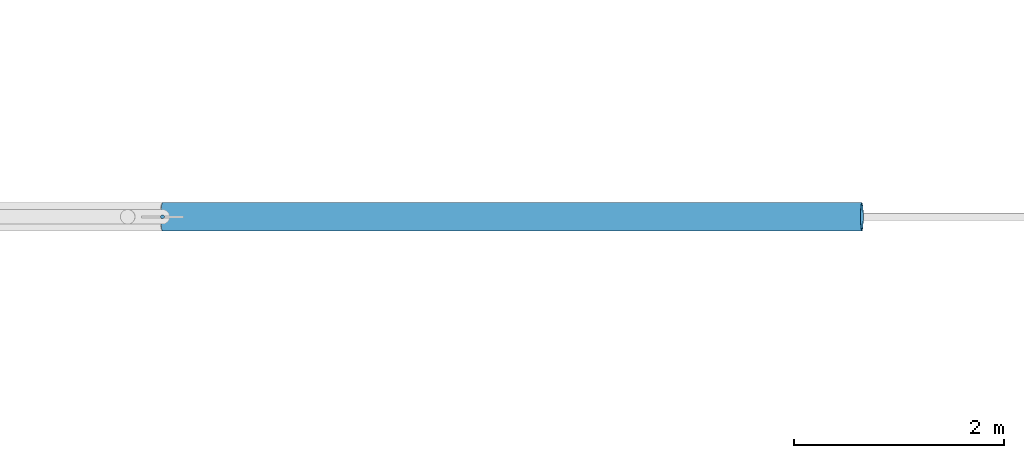
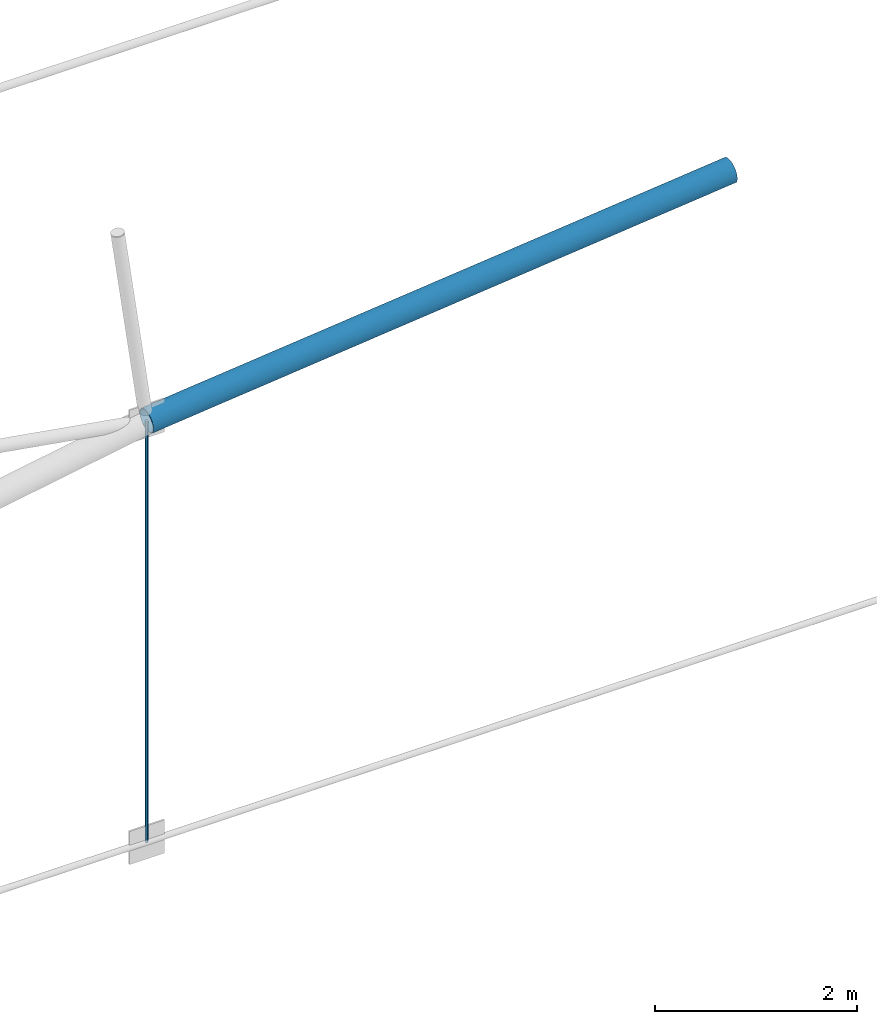
# One storey, part 20 of 321: 2 members.
"""IFC4 building model written with IfcOpenShell, lengths in metres."""

from ifc_helpers import new_model, si_unit, direction, frame, origin, origin_2d, place, context, subcontext, project, spatial, circle, hollow_circle, extrude, material, material_profile, profile_set, type_object, element, save


model = new_model("IFC4")

# Units and contexts
model_context = context("Model", 3, precision=1e-05, world=origin(), true_north=direction((0.0, 1.0)))
body_context = subcontext(model_context, "Body", "Model", "MODEL_VIEW")
ifc_project = project(units=[si_unit("LENGTHUNIT", "METRE"), si_unit("AREAUNIT", "SQUARE_METRE"), si_unit("VOLUMEUNIT", "CUBIC_METRE"), si_unit("PLANEANGLEUNIT", "RADIAN"), si_unit("MASSUNIT", "GRAM", prefix="KILO")], contexts=[model_context])

# Site, building, storey
site_placement = place(None, origin())
site = spatial("IfcSite", under=ifc_project, at=site_placement, CompositionType="ELEMENT")
building_placement = place(site_placement, origin())
building = spatial("IfcBuilding", under=site, at=building_placement, Name="Ravi Spectrum Wholesale Market", CompositionType="ELEMENT")
storey_placement = place(building_placement, frame((0.0, 0.0, 10.800048828125)))
storey = spatial("IfcBuildingStorey", under=building, at=storey_placement, Name="L02", CompositionType="ELEMENT", Elevation=10.800048828125)

# Members
ifc_material_1 = material(Name="Steel S355", Category="steel")
ifc_material_profile_1 = material_profile(ifc_material_1, hollow_circle(Radius=0.136474609375, WallThickness=0.010009765625, at=origin_2d()))
ifc_profile_set_1 = profile_set([ifc_material_profile_1], Name="Steel S355")
member_type_1 = type_object("IfcMemberType", Name="CHS 273x10 chord", PredefinedType="CHORD", material=ifc_profile_set_1)
member_1_placement = place(storey_placement, frame((56.648193359375, 42.0, 5.1025390625), z_axis=(0.994646786479, 0.0, 0.103333296414), x_axis=(0.0, 1.0, 0.0)))
element("IfcMember", 1, at=member_1_placement, inside=storey, type_object=member_type_1, Name="H1-MB-L02-128", PredefinedType="CHORD", context=body_context, shape_type="SweptSolid", body=[
    extrude(hollow_circle(Radius=0.136474609375, WallThickness=0.010009765625, at=origin_2d()), origin(), (0.0, 0.0, 1.0), 6.69580078125),
])
ifc_material_2 = material(Name="Steel S355", Category="steel")
ifc_material_profile_2 = material_profile(ifc_material_2, circle(Radius=0.01806640625, at=origin_2d()))
ifc_profile_set_2 = profile_set([ifc_material_profile_2], Name="Steel S355")
member_type_2 = type_object("IfcMemberType", Name="ROD 36 hanger", PredefinedType="STRUT", material=ifc_profile_set_2)
member_2_placement = place(storey_placement, frame((56.648193359375, 42.0, 0.023193359375), z_axis=(0.0, 0.0, 1.0), x_axis=(1.0, 0.0, 0.0)))
element("IfcMember", 2, at=member_2_placement, inside=storey, type_object=member_type_2, Name="H1-MB-L02-159", PredefinedType="STRUT", context=body_context, shape_type="SweptSolid", body=[
    extrude(circle(Radius=0.01806640625, at=origin_2d()), origin(), (0.0, 0.0, 1.0), 5.079345703125),
])

save(model, "model.ifc")
